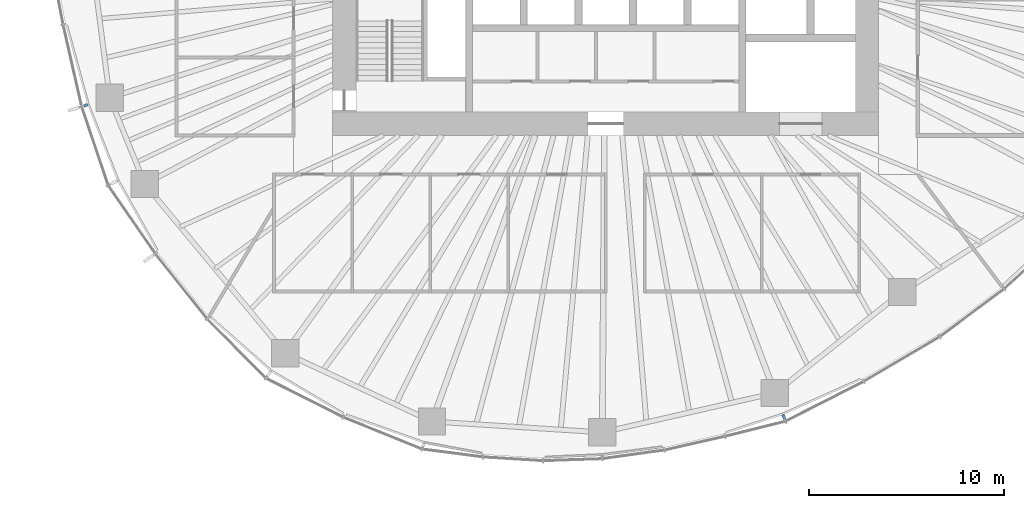
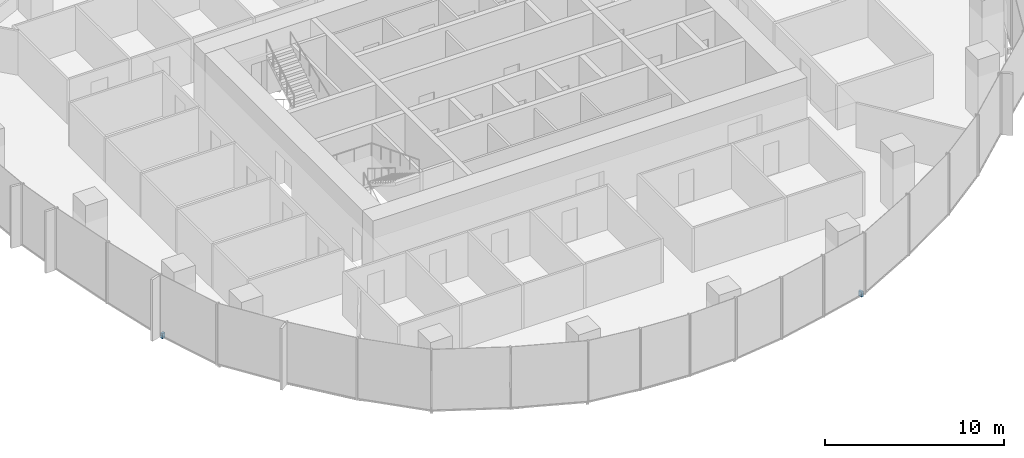
# One storey, part 13 of 18: 2 discrete accessories.
"""IFC4 building model written with IfcOpenShell, lengths in metres."""

import ifcopenshell
import ifcopenshell.guid

model = None  # the IFC model being written
_history = None  # IfcOwnerHistory: only IFC2X3 demands one
_inside = {}  # id of a spatial element -> (the spatial element, [elements in it])
_under = {}  # id of a project, library or spatial element -> (it, [spatial elements below it])
_declared = {}  # id of a project -> (the project, [libraries it declares])
_typed = {}  # id of a type object -> (the type object, [elements of that type])
_made_of = {}  # id of a material, layer set ... -> (it, [elements and type objects made of it])


def new_model(schema):
    """Start an empty IFC model of exactly this schema.

    Asked for "IFC4X3", IfcOpenShell would pick the latest addendum, in which some entities
    have other attributes; the version numbers below select the first issue.
    IFC2X3 requires an IfcOwnerHistory on every rooted entity: one is made here for all.
    """
    global model, _history
    if schema == "IFC4X3":
        model = ifcopenshell.file(schema_version=(4, 3, 0, 0))
    else:
        model = ifcopenshell.file(schema=schema)
    _inside.clear()
    _under.clear()
    _declared.clear()
    _typed.clear()
    _made_of.clear()
    _history = None
    if model.schema == "IFC2X3":
        org = make("IfcOrganization", Name="unknown")
        user = make(
            "IfcPersonAndOrganization",
            ThePerson=make("IfcPerson", FamilyName="unknown"),
            TheOrganization=org,
        )
        app = make(
            "IfcApplication",
            ApplicationDeveloper=org,
            Version="unknown",
            ApplicationFullName="unknown",
            ApplicationIdentifier="unknown",
        )
        _history = make(
            "IfcOwnerHistory",
            OwningUser=user,
            OwningApplication=app,
            ChangeAction="ADDED",
            CreationDate=0,
        )
    return model


def make(cls, **values):
    """One entity of the class cls with the attributes given. An attribute that is None is left unset."""
    return model.create_entity(
        cls, **{name: value for name, value in values.items() if value is not None}
    )


def rooted(cls, **values):
    """An entity with a GlobalId (a new one), such as an element, a storey or a relation."""
    return make(cls, GlobalId=ifcopenshell.guid.new(), OwnerHistory=_history, **values)


def si_unit(unit_type, name, prefix=None):
    """IfcSIUnit, for example si_unit("LENGTHUNIT", "METRE", prefix="MILLI")."""
    return make("IfcSIUnit", UnitType=unit_type, Prefix=prefix, Name=name)


def assignment(units):
    """IfcUnitAssignment: the units of a project."""
    return None if units is None else make("IfcUnitAssignment", Units=units)


def point(xyz):
    """IfcCartesianPoint."""
    return None if xyz is None else make("IfcCartesianPoint", Coordinates=xyz)


def direction(xyz):
    """IfcDirection."""
    return None if xyz is None else make("IfcDirection", DirectionRatios=xyz)


def frame(location, z_axis=None, x_axis=None):
    """IfcAxis2Placement3D, a coordinate frame: its origin and axes. An axis left out is left unset."""
    return make(
        "IfcAxis2Placement3D",
        Location=point(location),
        Axis=direction(z_axis),
        RefDirection=direction(x_axis),
    )


def frame_2d(location, x_axis=None):
    """IfcAxis2Placement2D, a coordinate frame in the plane: its origin and x axis."""
    return make(
        "IfcAxis2Placement2D", Location=point(location), RefDirection=direction(x_axis)
    )


def origin():
    """The frame at (0, 0, 0) with its axes left unset."""
    return frame((0.0, 0.0, 0.0))


def origin_2d():
    """The frame at (0, 0) in the plane with its x axis left unset."""
    return frame_2d((0.0, 0.0))


def place(relative_to, where):
    """IfcLocalPlacement: puts the frame where relative to a parent placement (None: the world)."""
    return make(
        "IfcLocalPlacement", PlacementRelTo=relative_to, RelativePlacement=where
    )


def context(
    kind, dimensions, precision=None, world=None, true_north=None, identifier=None
):
    """IfcGeometricRepresentationContext, for example the 3D "Model" context."""
    return make(
        "IfcGeometricRepresentationContext",
        ContextIdentifier=identifier,
        ContextType=kind,
        CoordinateSpaceDimension=dimensions,
        Precision=precision,
        WorldCoordinateSystem=world,
        TrueNorth=true_north,
    )


def subcontext(parent, identifier, kind, view, scale=None):
    """IfcGeometricRepresentationSubContext, for example "Body" below "Model"."""
    return make(
        "IfcGeometricRepresentationSubContext",
        ContextIdentifier=identifier,
        ContextType=kind,
        ParentContext=parent,
        TargetScale=scale,
        TargetView=view,
    )


def project(units=None, contexts=None):
    """IfcProject with its units and contexts."""
    return rooted(
        "IfcProject",
        Name="project",
        RepresentationContexts=contexts,
        UnitsInContext=assignment(units),
    )


def spatial(cls, under=None, at=None, **own):
    """A site, building, storey or space (cls), placed at a placement, below another one or the project."""
    s = rooted(cls, ObjectPlacement=at, **own)
    if under is not None:
        _under.setdefault(under.id(), (under, []))[1].append(s)
    return s


def profile(cls, at=None, kind="AREA", **sizes):
    """A parametric profile (cls). Its sizes go by their IFC names, for example OverallWidth=200.0."""
    return make(cls, ProfileType=kind, Position=at, **sizes)


def rectangle(**sizes):
    """IfcRectangleProfileDef."""
    return profile("IfcRectangleProfileDef", **sizes)


def extrude(swept, where, along, depth):
    """IfcExtrudedAreaSolid: the profile swept, set in the frame where, extruded along a direction by depth."""
    return make(
        "IfcExtrudedAreaSolid",
        SweptArea=swept,
        Position=where,
        ExtrudedDirection=direction(along),
        Depth=depth,
    )


def shape(context_of_items, identifier, shape_type, items):
    """IfcShapeRepresentation: the items that make up one representation, for example the "Body"."""
    return make(
        "IfcShapeRepresentation",
        ContextOfItems=context_of_items,
        RepresentationIdentifier=identifier,
        RepresentationType=shape_type,
        Items=items,
    )


def material(Name=None, Category=None):
    """IfcMaterial."""
    return make("IfcMaterial", Name=Name, Category=Category)


def made_of(thing, what):
    """Note that an element or type object is made of a material, layer set ...; save() writes the relation."""
    if what is not None:
        _made_of.setdefault(what.id(), (what, []))[1].append(thing)
    return thing


def type_object(cls, material=None, **own):
    """A type object (cls), such as IfcWallType, which elements share."""
    return made_of(rooted(cls, **own), material)


def element(
    cls,
    number,
    at=None,
    inside=None,
    cuts=None,
    type_object=None,
    material=None,
    context=None,
    identifier="Body",
    shape_type=None,
    held_by="IfcProductDefinitionShape",
    body=None,
    shapes=None,
    **own,
):
    """One element of the class cls, such as IfcWall. Its Tag is "e" and its number.

    at: its placement. inside: the storey or other place that contains it. cuts: it is an
    opening in that element (IfcRelVoidsElement). A single representation is given by context,
    identifier, shape_type and body (its items); several are given by shapes. held_by: the class
    of the entity that holds the representations. save() writes the other relations.
    """
    e = rooted(cls, Tag="e%d" % number, ObjectPlacement=at, **own)
    if body is not None:
        shapes = [shape(context, identifier, shape_type, body)]
    if shapes is not None:
        e.Representation = make(held_by, Representations=shapes)
    if inside is not None:
        _inside.setdefault(inside.id(), (inside, []))[1].append(e)
    if cuts is not None:
        rooted(
            "IfcRelVoidsElement", RelatingBuildingElement=cuts, RelatedOpeningElement=e
        )
    if type_object is not None:
        _typed.setdefault(type_object.id(), (type_object, []))[1].append(e)
    return made_of(e, material)


def aggregate(whole, parts):
    """IfcRelAggregates: a whole, such as a stair, and the parts it consists of."""
    return rooted("IfcRelAggregates", RelatingObject=whole, RelatedObjects=parts)


def save(model, path):
    """Write the relations noted so far, then the file.

    IfcRelAggregates (storeys below a building ...), IfcRelContainedInSpatialStructure (elements
    in a storey), IfcRelDefinesByType, IfcRelAssociatesMaterial and IfcRelDeclares: one each for
    every whole, place, type object, material and project.
    """
    for whole, parts in _under.values():
        aggregate(whole, parts)
    for where, things in _inside.values():
        rooted(
            "IfcRelContainedInSpatialStructure",
            RelatedElements=things,
            RelatingStructure=where,
        )
    for kind, things in _typed.values():
        rooted("IfcRelDefinesByType", RelatedObjects=things, RelatingType=kind)
    for what, things in _made_of.values():
        rooted("IfcRelAssociatesMaterial", RelatedObjects=things, RelatingMaterial=what)
    for by, libraries in _declared.values():
        rooted("IfcRelDeclares", RelatingContext=by, RelatedDefinitions=libraries)
    model.write(path)


model = new_model("IFC4")

# Units and contexts
model_context = context("Model", 3, precision=1e-05, world=origin(), true_north=direction((0.0, 1.0)))
body_context = subcontext(model_context, "Body", "Model", "MODEL_VIEW")
ifc_project = project(units=[si_unit("LENGTHUNIT", "METRE"), si_unit("AREAUNIT", "SQUARE_METRE"), si_unit("VOLUMEUNIT", "CUBIC_METRE"), si_unit("PLANEANGLEUNIT", "RADIAN"), si_unit("MASSUNIT", "GRAM", prefix="KILO")], contexts=[model_context])

# Site, building, storey
site_placement = place(None, origin())
site = spatial("IfcSite", under=ifc_project, at=site_placement, CompositionType="ELEMENT")
building_placement = place(site_placement, origin())
building = spatial("IfcBuilding", under=site, at=building_placement, Name="Ghaith Harvest Tower", CompositionType="ELEMENT")
storey_placement = place(building_placement, frame((0.0, 0.0, 168.0)))
storey = spatial("IfcBuildingStorey", under=building, at=storey_placement, Name="L36", CompositionType="ELEMENT", Elevation=168.0)

# Discrete accessories
ifc_material_1 = material(Name="Stainless steel grade 1.4401", Category="steel")
discrete_accessory_type_1 = type_object("IfcDiscreteAccessoryType", Name="CURTAIN WALL BRACKET 205", PredefinedType="BRACKET", material=ifc_material_1)
discrete_accessory_1_placement = place(storey_placement, frame((-26.673095703125, -8.453125, -0.25), z_axis=(0.0, 0.0, 1.0), x_axis=(-0.953273219416, -0.302109531701, 0.0)))
element("IfcDiscreteAccessory", 1, at=discrete_accessory_1_placement, inside=storey, type_object=discrete_accessory_type_1, Name="CW-L bracket 1 bay 12 L36", PredefinedType="BRACKET", context=body_context, shape_type="SweptSolid", body=[
    extrude(rectangle(XDim=0.205078125, YDim=0.14990234375, at=origin_2d()), origin(), (0.0, 0.0, 1.0), 0.35009765625),
])
ifc_material_2 = material(Name="Stainless steel grade 1.4401", Category="steel")
discrete_accessory_type_2 = type_object("IfcDiscreteAccessoryType", Name="CURTAIN WALL BRACKET 245", PredefinedType="BRACKET", material=ifc_material_2)
discrete_accessory_2_placement = place(storey_placement, frame((9.135498046875, -24.436767578125, -0.25), z_axis=(0.0, 0.0, 1.0), x_axis=(0.35016769691, -0.93668702566, 0.0)))
element("IfcDiscreteAccessory", 2, at=discrete_accessory_2_placement, inside=storey, type_object=discrete_accessory_type_2, Name="CW-L bracket 1 bay 17 L36", PredefinedType="BRACKET", context=body_context, shape_type="SweptSolid", body=[
    extrude(rectangle(XDim=0.2451171875, YDim=0.14990234375, at=origin_2d()), origin(), (0.0, 0.0, 1.0), 0.35009765625),
])

save(model, "model.ifc")
